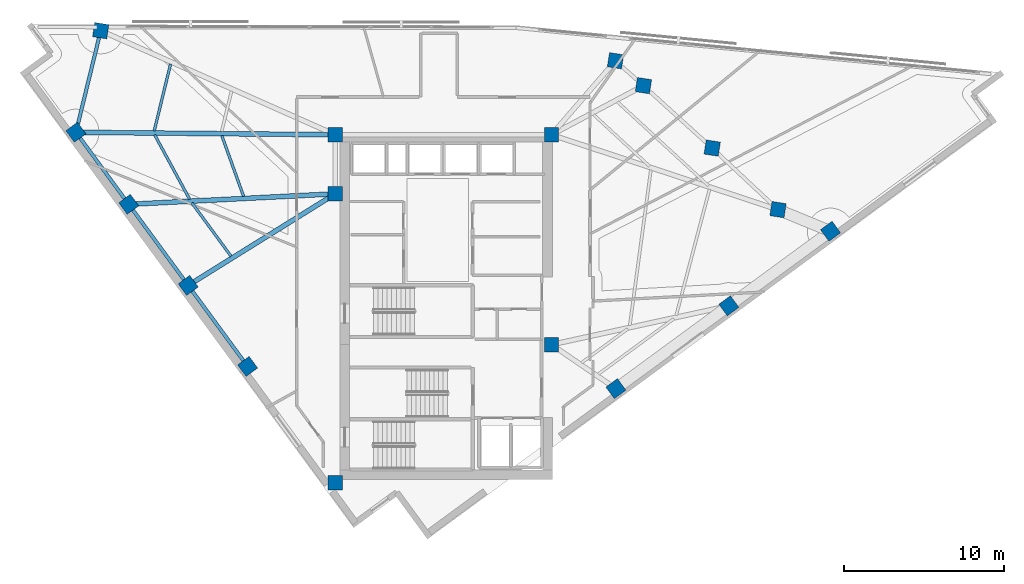
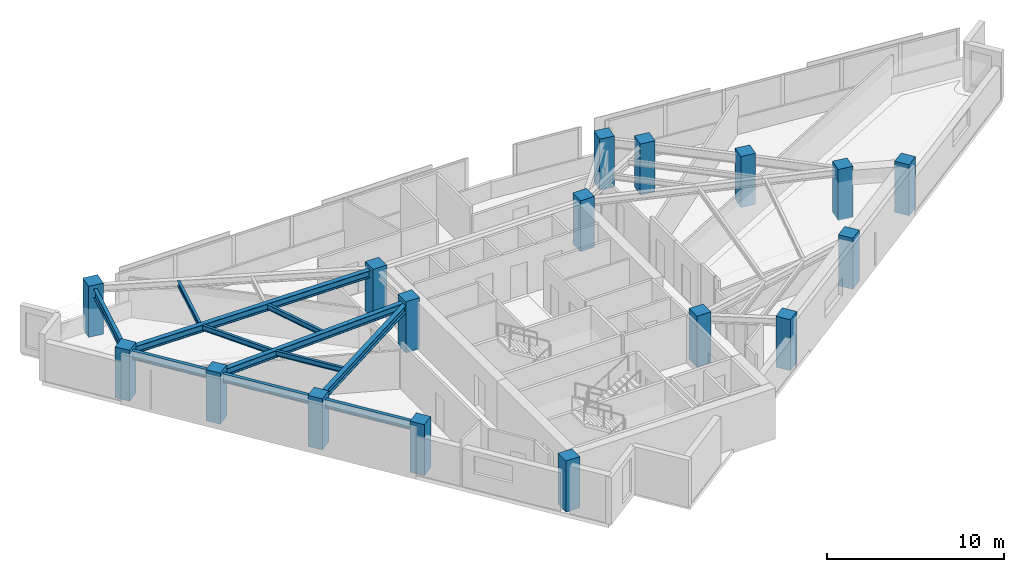
# One storey, part 1 of 13: 17 columns, 11 beams.
"""IFC4 building model written with IfcOpenShell, lengths in metres."""

from ifc_helpers import new_model, si_unit, direction, frame, origin, origin_2d, place, context, subcontext, project, spatial, rectangle, i_section, extrude, material, material_profile, profile_set, type_object, element, save


model = new_model("IFC4")

# Units and contexts
model_context = context("Model", 3, precision=1e-05, world=origin(), true_north=direction((0.0, 1.0)))
body_context = subcontext(model_context, "Body", "Model", "MODEL_VIEW")
ifc_project = project(units=[si_unit("LENGTHUNIT", "METRE"), si_unit("AREAUNIT", "SQUARE_METRE"), si_unit("VOLUMEUNIT", "CUBIC_METRE"), si_unit("PLANEANGLEUNIT", "RADIAN"), si_unit("MASSUNIT", "GRAM", prefix="KILO")], contexts=[model_context])

# Site, building, storey
site_placement = place(None, origin())
site = spatial("IfcSite", under=ifc_project, at=site_placement, CompositionType="ELEMENT")
building_placement = place(site_placement, origin())
building = spatial("IfcBuilding", under=site, at=building_placement, Name="Narakoshi Arena Tower", CompositionType="ELEMENT")
storey_placement = place(building_placement, frame((0.0, 0.0, 246.659912109375)))
storey = spatial("IfcBuildingStorey", under=building, at=storey_placement, Name="L67", CompositionType="ELEMENT", Elevation=246.659912109375)

# Columns
ifc_material_1 = material(Name="Concrete C50/60", Category="concrete")
ifc_material_profile_1 = material_profile(ifc_material_1, rectangle(XDim=0.89990234375, YDim=0.89990234375, at=origin_2d()), Name="RC900x900")
ifc_profile_set_1 = profile_set([ifc_material_profile_1], Name="Concrete C50/60")
column_type = type_object("IfcColumnType", Name="COL-RC900", PredefinedType="COLUMN", material=ifc_profile_set_1)
for number, where, z_axis, x_axis, name in (
    (1, (72.0, 34.699951171875, 0.0), (0.0, 0.0, 1.0), (1.0, 0.0, 0.0), "L67 Core Structural Column CC1"),
    (2, (85.550048828125, 43.35009765625, 0.0), (0.0, 0.0, 1.0), (1.0, 0.0, 0.0), "L67 Core Structural Column CC3"),
    (3, (72.0, 52.800048828125, 0.0), (0.0, 0.0, 1.0), (1.0, 0.0, 0.0), "L67 Core Structural Column CC4"),
    (4, (72.0, 56.5, 0.0), (0.0, 0.0, 1.0), (1.0, 0.0, 0.0), "L67 Core Structural Column CC5"),
    (5, (85.550048828125, 56.5, 0.0), (0.0, 0.0, 1.0), (1.0, 0.0, 0.0), "L67 Core Structural Column CC6"),
    (6, (89.58642578125, 40.594482421875, 0.0), (0.0, 0.0, 1.0), (0.806444604267, 0.591309648364, 0.0), "L67 Tower Perimeter Column TC01"),
    (7, (96.663330078125, 45.783447265625, 0.0), (0.0, 0.0, 1.0), (0.806444604267, 0.591309648364, 0.0), "L67 Tower Perimeter Column TC02"),
    (8, (103.032470703125, 50.45361328125, 0.0), (0.0, 0.0, 1.0), (0.806444604267, 0.591309648364, 0.0), "L67 Tower Perimeter Column TC03"),
    (9, (99.74267578125, 51.80712890625, 0.0), (0.0, 0.0, 1.0), (0.15212338619, 0.988361510468, 0.0), "L67 Tower Perimeter Column TC05"),
    (10, (95.619384765625, 55.665283203125, 0.0), (0.0, 0.0, 1.0), (0.15212338619, 0.988361510468, 0.0), "L67 Tower Perimeter Column TC06"),
    (11, (91.311279296875, 59.576416015625, 0.0), (0.0, 0.0, 1.0), (0.15212338619, 0.988361510468, 0.0), "L67 Tower Perimeter Column TC07"),
    (12, (89.5615234375, 61.134765625, 0.0), (0.0, 0.0, 1.0), (0.15212338619, 0.988361510468, 0.0), "L67 Tower Perimeter Column TC08"),
    (13, (57.30908203125, 63.0205078125, 0.0), (0.0, 0.0, 1.0), (0.15212338619, 0.988361510468, 0.0), "L67 Tower Perimeter Column TC10"),
    (14, (55.75341796875, 56.654296875, 0.0), (0.0, 0.0, 1.0), (-0.591309648364, 0.806444604267, 0.0), "L67 Tower Perimeter Column TC13"),
    (15, (59.063232421875, 52.140380859375, 0.0), (0.0, 0.0, 1.0), (-0.591309648364, 0.806444604267, 0.0), "L67 Tower Perimeter Column TC14"),
    (16, (62.786865234375, 47.061767578125, 0.0), (0.0, 0.0, 1.0), (-0.591309648364, 0.806444604267, 0.0), "L67 Tower Perimeter Column TC15"),
    (17, (66.510498046875, 41.9833984375, 0.0), (0.0, 0.0, 1.0), (-0.591309648364, 0.806444604267, 0.0), "L67 Tower Perimeter Column TC16"),
):
    element("IfcColumn", number, at=place(storey_placement, frame(where, z_axis=z_axis, x_axis=x_axis)), inside=storey, type_object=column_type, Name=name, PredefinedType="COLUMN", context=body_context, shape_type="SweptSolid", body=[
        extrude(rectangle(XDim=0.89990234375, YDim=0.89990234375, at=origin_2d()), origin(), (0.0, 0.0, 1.0), 3.52001953125),
    ])

# Beams
ifc_material_2 = material(Name="Structural steel S355J2", Category="steel")
ifc_material_profile_2 = material_profile(ifc_material_2, i_section(OverallWidth=0.219970703125, OverallDepth=0.60009765625, WebThickness=0.011962890625, FlangeThickness=0.01904296875, FilletRadius=0.02392578125, at=origin_2d()), Name="IPE600")
ifc_profile_set_2 = profile_set([ifc_material_profile_2], Name="Structural steel S355J2")
beam_type_1 = type_object("IfcBeamType", Name="BM-EDGE-600", PredefinedType="BEAM", material=ifc_profile_set_2)
beam_1_placement = place(storey_placement, frame((57.30908203125, 63.0205078125, 2.960205078125), z_axis=(-0.237378097084, -0.971417335147, 0.0), x_axis=(0.971417335147, -0.237378097084, 0.0)))
element("IfcBeam", 18, at=beam_1_placement, inside=storey, type_object=beam_type_1, Name="L67 Perimeter Edge Girder 08", PredefinedType="BEAM", context=body_context, shape_type="SweptSolid", body=[
    extrude(i_section(OverallWidth=0.219970703125, OverallDepth=0.60009765625, WebThickness=0.011962890625, FlangeThickness=0.01904296875, FilletRadius=0.02392578125, at=origin_2d()), origin(), (0.0, 0.0, 1.0), 6.553466796875),
])
beam_2_placement = place(storey_placement, frame((55.75341796875, 56.654296875, 2.960205078125), z_axis=(0.591318280641, -0.806438274749, 0.0), x_axis=(0.806438274749, 0.591318280641, 0.0)))
element("IfcBeam", 19, at=beam_2_placement, inside=storey, type_object=beam_type_1, Name="L67 Perimeter Edge Girder 09", PredefinedType="BEAM", context=body_context, shape_type="SweptSolid", body=[
    extrude(i_section(OverallWidth=0.219970703125, OverallDepth=0.60009765625, WebThickness=0.011962890625, FlangeThickness=0.01904296875, FilletRadius=0.02392578125, at=origin_2d()), origin(), (0.0, 0.0, 1.0), 5.597412109375),
])
for number, where, z_axis, x_axis, name in (
    (20, (59.063232421875, 52.140380859375, 2.960205078125), (0.591293071807, -0.80645675844, 0.0), (0.80645675844, 0.591293071807, 0.0), "L67 Perimeter Edge Girder 10"),
    (21, (62.786865234375, 47.061767578125, 2.960205078125), (0.59131155895, -0.806443203364, 0.0), (0.806443203364, 0.59131155895, 0.0), "L67 Perimeter Edge Girder 11"),
):
    element("IfcBeam", number, at=place(storey_placement, frame(where, z_axis=z_axis, x_axis=x_axis)), inside=storey, type_object=beam_type_1, Name=name, PredefinedType="BEAM", context=body_context, shape_type="SweptSolid", body=[
        extrude(i_section(OverallWidth=0.219970703125, OverallDepth=0.60009765625, WebThickness=0.011962890625, FlangeThickness=0.01904296875, FilletRadius=0.02392578125, at=origin_2d()), origin(), (0.0, 0.0, 1.0), 6.29736328125),
    ])
ifc_material_profile_3 = material_profile(ifc_material_2, i_section(OverallWidth=0.300048828125, OverallDepth=0.5, WebThickness=0.014404296875, FlangeThickness=0.028076171875, FilletRadius=0.027099609375, at=origin_2d()), Name="HE500B")
ifc_profile_set_3 = profile_set([ifc_material_profile_3], Name="Structural steel S355J2")
beam_type_2 = type_object("IfcBeamType", Name="BM-PRI-500", PredefinedType="BEAM", material=ifc_profile_set_3)
beam_3_placement = place(storey_placement, frame((72.0, 56.5, 3.010009765625), z_axis=(-0.999954904742, 0.009496761636, 0.0), x_axis=(-0.009496761636, -0.999954904742, 0.0)))
element("IfcBeam", 22, at=beam_3_placement, inside=storey, type_object=beam_type_2, Name="L67 Radial Primary Floor Girder 09", PredefinedType="BEAM", context=body_context, shape_type="SweptSolid", body=[
    extrude(i_section(OverallWidth=0.300048828125, OverallDepth=0.5, WebThickness=0.014404296875, FlangeThickness=0.028076171875, FilletRadius=0.027099609375, at=origin_2d()), origin(), (0.0, 0.0, 1.0), 16.247314453125),
])
beam_4_placement = place(storey_placement, frame((72.0, 52.800048828125, 3.010009765625), z_axis=(-0.998702452309, -0.050925551079, 0.0), x_axis=(0.050925551079, -0.998702452309, 0.0)))
element("IfcBeam", 23, at=beam_4_placement, inside=storey, type_object=beam_type_2, Name="L67 Radial Primary Floor Girder 10", PredefinedType="BEAM", context=body_context, shape_type="SweptSolid", body=[
    extrude(i_section(OverallWidth=0.300048828125, OverallDepth=0.5, WebThickness=0.014404296875, FlangeThickness=0.028076171875, FilletRadius=0.027099609375, at=origin_2d()), origin(), (0.0, 0.0, 1.0), 12.95361328125),
])
beam_5_placement = place(storey_placement, frame((72.0, 52.800048828125, 3.010009765625), z_axis=(-0.848822444764, -0.528678027976, 0.0), x_axis=(0.528678027976, -0.848822444764, 0.0)))
element("IfcBeam", 24, at=beam_5_placement, inside=storey, type_object=beam_type_2, Name="L67 Radial Primary Floor Girder 11", PredefinedType="BEAM", context=body_context, shape_type="SweptSolid", body=[
    extrude(i_section(OverallWidth=0.300048828125, OverallDepth=0.5, WebThickness=0.014404296875, FlangeThickness=0.028076171875, FilletRadius=0.027099609375, at=origin_2d()), origin(), (0.0, 0.0, 1.0), 10.85400390625),
])
ifc_material_profile_4 = material_profile(ifc_material_2, i_section(OverallWidth=0.169921875, OverallDepth=0.360107421875, WebThickness=0.008056640625, FlangeThickness=0.0126953125, FilletRadius=0.01806640625, at=origin_2d()), Name="IPE360")
ifc_profile_set_4 = profile_set([ifc_material_profile_4], Name="Structural steel S355J2")
beam_type_3 = type_object("IfcBeamType", Name="BM-SEC-360", PredefinedType="JOIST", material=ifc_profile_set_4)
beam_6_placement = place(storey_placement, frame((61.684326171875, 60.933349609375, 3.080078125), z_axis=(-0.237383131081, -0.971416105013, 0.0), x_axis=(0.971416105013, -0.237383131081, 0.0)))
element("IfcBeam", 25, at=beam_6_placement, inside=storey, type_object=beam_type_3, Name="L67 Composite Secondary Floor Joist 08", PredefinedType="JOIST", context=body_context, shape_type="SweptSolid", body=[
    extrude(i_section(OverallWidth=0.169921875, OverallDepth=0.360107421875, WebThickness=0.008056640625, FlangeThickness=0.0126953125, FilletRadius=0.01806640625, at=origin_2d()), origin(), (0.0, 0.0, 1.0), 4.3173828125),
])
beam_7_placement = place(storey_placement, frame((64.897216796875, 56.44091796875, 3.080078125), z_axis=(0.33772891616, -0.941243421857, 0.0), x_axis=(0.941243421857, 0.33772891616, 0.0)))
element("IfcBeam", 26, at=beam_7_placement, inside=storey, type_object=beam_type_3, Name="L67 Composite Secondary Floor Joist 09", PredefinedType="JOIST", context=body_context, shape_type="SweptSolid", body=[
    extrude(i_section(OverallWidth=0.169921875, OverallDepth=0.360107421875, WebThickness=0.008056640625, FlangeThickness=0.0126953125, FilletRadius=0.01806640625, at=origin_2d()), origin(), (0.0, 0.0, 1.0), 4.041748046875),
])
beam_8_placement = place(storey_placement, frame((60.691650390625, 56.489501953125, 3.080078125), z_axis=(0.476930980279, -0.878940748885, 0.0), x_axis=(0.878940748885, 0.476930980279, 0.0)))
element("IfcBeam", 27, at=beam_8_placement, inside=storey, type_object=beam_type_3, Name="L67 Composite Secondary Floor Joist 10", PredefinedType="JOIST", context=body_context, shape_type="SweptSolid", body=[
    extrude(i_section(OverallWidth=0.169921875, OverallDepth=0.360107421875, WebThickness=0.008056640625, FlangeThickness=0.0126953125, FilletRadius=0.01806640625, at=origin_2d()), origin(), (0.0, 0.0, 1.0), 4.588134765625),
])
beam_9_placement = place(storey_placement, frame((63.024169921875, 52.229248046875, 3.080078125), z_axis=(0.591289485893, -0.806459387615, 0.0), x_axis=(0.806459387615, 0.591289485893, 0.0)))
element("IfcBeam", 28, at=beam_9_placement, inside=storey, type_object=beam_type_3, Name="L67 Composite Secondary Floor Joist 11", PredefinedType="JOIST", context=body_context, shape_type="SweptSolid", body=[
    extrude(i_section(OverallWidth=0.169921875, OverallDepth=0.360107421875, WebThickness=0.008056640625, FlangeThickness=0.0126953125, FilletRadius=0.01806640625, at=origin_2d()), origin(), (0.0, 0.0, 1.0), 4.137939453125),
])

save(model, "model.ifc")
